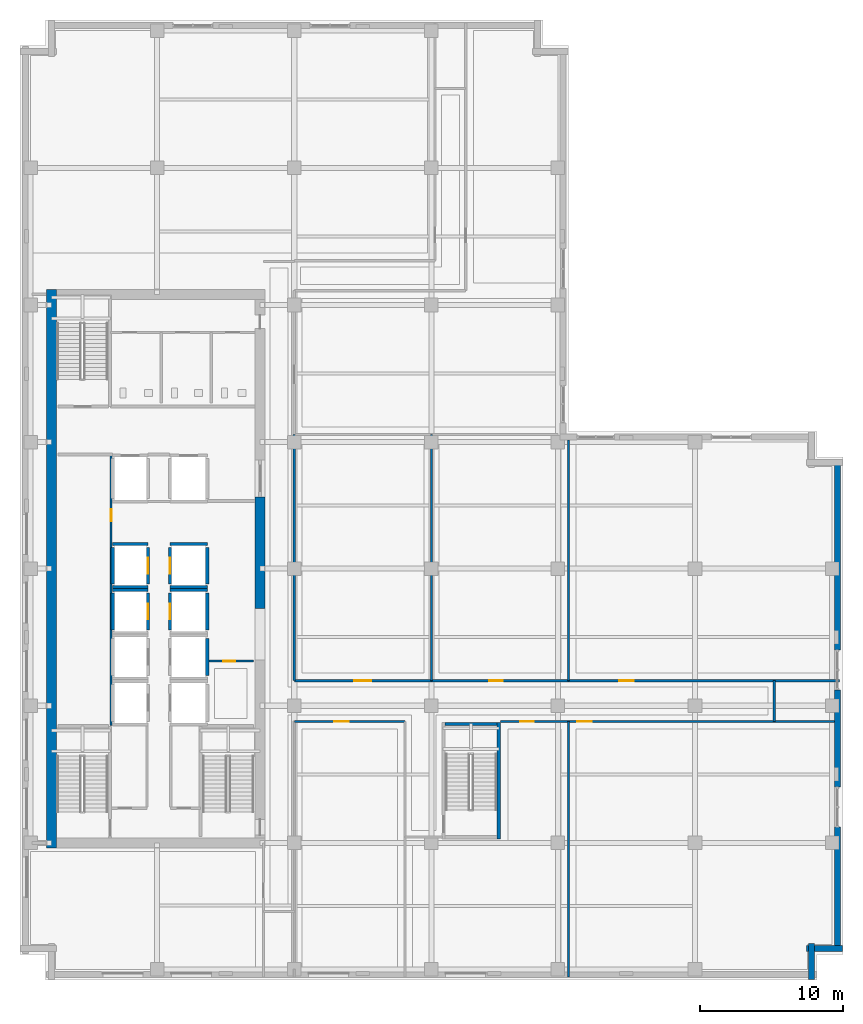
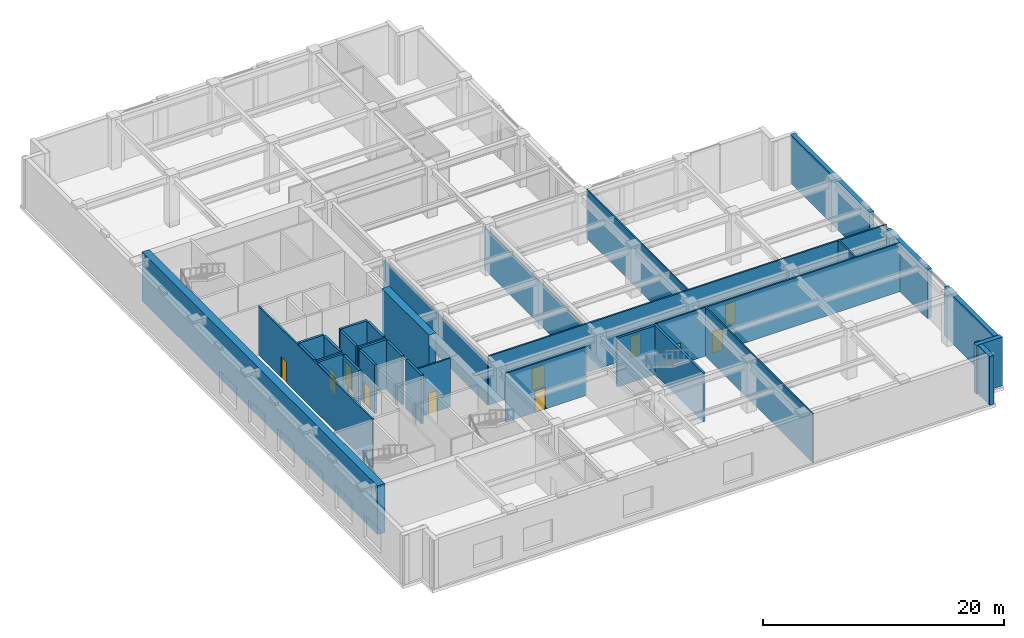
# One storey, part 5 of 18: 34 walls, 12 doors, 12 openings.
"""IFC4 building model written with IfcOpenShell, lengths in metres."""

from ifc_helpers import new_model, si_unit, direction, frame, frame_2d, origin, place, context, subcontext, project, spatial, rectangle, extrude, material, layer, layer_set, type_object, element, fill, save


model = new_model("IFC4")

# Units and contexts
model_context = context("Model", 3, precision=1e-05, world=origin(), true_north=direction((0.0, 1.0)))
body_context = subcontext(model_context, "Body", "Model", "MODEL_VIEW")
ifc_project = project(units=[si_unit("LENGTHUNIT", "METRE"), si_unit("AREAUNIT", "SQUARE_METRE"), si_unit("VOLUMEUNIT", "CUBIC_METRE"), si_unit("PLANEANGLEUNIT", "RADIAN"), si_unit("MASSUNIT", "GRAM", prefix="KILO")], contexts=[model_context])

# Site, building, storey
site_placement = place(None, origin())
site = spatial("IfcSite", under=ifc_project, at=site_placement, CompositionType="ELEMENT")
building_placement = place(site_placement, origin())
building = spatial("IfcBuilding", under=site, at=building_placement, Name="Norrvale University Quadrangle", CompositionType="ELEMENT")
storey_placement = place(building_placement, frame((0.0, 0.0, 150.800048828125)))
storey = spatial("IfcBuildingStorey", under=building, at=storey_placement, Name="L38", CompositionType="ELEMENT", Elevation=150.800048828125)

# Walls
ifc_material_1 = material(Name="Buff Norman Clay Brick Masonry", Category="masonry")
ifc_layer_1 = layer(ifc_material_1, 0.419921875, Name="Buff Norman Clay Brick Masonry")
ifc_layer_set_1 = layer_set([ifc_layer_1], Name="Buff Norman Clay Brick Masonry")
wall_type_1 = type_object("IfcWallType", Name="Wall Buff Brick 420", PredefinedType="SOLIDWALL", material=ifc_layer_set_1)
for number, where, z_axis, x_axis, name in (
    (1, (55.409912109375, 0.0400390625, 0.0), (0.0, 0.0, 1.0), (0.0, 1.0, 0.0), "Exterior Brick Facade Wall L38-02.1"),
    (2, (55.06005859375, 2.18994140625, 0.0), (0.0, 0.0, 1.0), (1.0, 0.0, 0.0), "Exterior Brick Facade Wall L38-03.1"),
):
    element("IfcWall", number, at=place(storey_placement, frame(where, z_axis=z_axis, x_axis=x_axis)), inside=storey, type_object=wall_type_1, Name=name, PredefinedType="SOLIDWALL", context=body_context, shape_type="SweptSolid", body=[
        extrude(rectangle(XDim=2.5, YDim=0.419921875, at=frame_2d((1.25, 0.0))), origin(), (0.0, 0.0, 1.0), 4.93994140625),
    ])
wall_1_placement = place(storey_placement, frame((57.2099609375, 2.18994140625, 0.0), z_axis=(0.0, 0.0, 1.0), x_axis=(0.0, 1.0, 0.0)))
element("IfcWall", 3, at=wall_1_placement, inside=storey, type_object=wall_type_1, Name="Sky Lobby Brick Pier 04.1", PredefinedType="SOLIDWALL", context=body_context, shape_type="SweptSolid", body=[
    extrude(rectangle(XDim=8.510009765625, YDim=0.419921875, at=frame_2d((4.2548828125, 0.0))), origin(), (0.0, 0.0, 1.0), 4.93994140625),
])
wall_2_placement = place(storey_placement, frame((57.2099609375, 13.5, 0.0), z_axis=(0.0, 0.0, 1.0), x_axis=(0.0, 1.0, 0.0)))
element("IfcWall", 4, at=wall_2_placement, inside=storey, type_object=wall_type_1, Name="Sky Lobby Brick Pier 04.2", PredefinedType="SOLIDWALL", context=body_context, shape_type="SweptSolid", body=[
    extrude(rectangle(XDim=6.800048828125, YDim=0.419921875, at=frame_2d((3.39990234375, 0.0))), origin(), (0.0, 0.0, 1.0), 4.93994140625),
])
wall_3_placement = place(storey_placement, frame((57.2099609375, 23.10009765625, 0.0), z_axis=(0.0, 0.0, 1.0), x_axis=(0.0, 1.0, 0.0)))
element("IfcWall", 5, at=wall_3_placement, inside=storey, type_object=wall_type_1, Name="Sky Lobby Brick Pier 04.3", PredefinedType="SOLIDWALL", context=body_context, shape_type="SweptSolid", body=[
    extrude(rectangle(XDim=13.10986328125, YDim=0.419921875, at=frame_2d((6.554931640625, 0.0))), origin(), (0.0, 0.0, 1.0), 4.93994140625),
])
ifc_material_2 = material(Name="Concrete C60/75", Category="concrete")
ifc_layer_2 = layer(ifc_material_2, 0.699951171875, Name="Concrete C60/75")
ifc_layer_set_2 = layer_set([ifc_layer_2], Name="Concrete C60/75")
wall_type_2 = type_object("IfcWallType", Name="Wall Core 700", PredefinedType="SHEAR", material=ifc_layer_set_2)
wall_4_placement = place(storey_placement, frame((2.199951171875, 9.25, 0.0), z_axis=(0.0, 0.0, 1.0), x_axis=(0.0, 1.0, 0.0)))
element("IfcWall", 6, at=wall_4_placement, inside=storey, type_object=wall_type_2, Name="Tower Core Shear Wall L38-W", PredefinedType="SHEAR", context=body_context, shape_type="SweptSolid", body=[
    extrude(rectangle(XDim=39.10009765625, YDim=0.699951171875, at=frame_2d((19.550048828125, 0.0))), origin(), (0.0, 0.0, 1.0), 4.93994140625),
])
wall_5_placement = place(storey_placement, frame((16.800048828125, 26.0, 0.0), z_axis=(0.0, 0.0, 1.0), x_axis=(0.0, 1.0, 0.0)))
element("IfcWall", 7, at=wall_5_placement, inside=storey, type_object=wall_type_2, Name="Tower Core Shear Wall L38-E2", PredefinedType="SHEAR", context=body_context, shape_type="SweptSolid", body=[
    extrude(rectangle(XDim=7.800048828125, YDim=0.699951171875, at=frame_2d((3.89990234375, 0.0))), origin(), (0.0, 0.0, 1.0), 4.93994140625),
])
ifc_material_3 = material(Name="Standard Academic Gypsum Partition")
ifc_layer_3 = layer(ifc_material_3, 0.125, Name="Standard Academic Gypsum Partition")
ifc_layer_set_3 = layer_set([ifc_layer_3], Name="Standard Academic Gypsum Partition")
wall_type_3 = type_object("IfcWallType", Name="Wall Gypsum Academic 125", PredefinedType="PARTITIONING", material=ifc_layer_set_3)
wall_6_placement = place(storey_placement, frame((38.39990234375, 0.219970703125, 0.0), z_axis=(0.0, 0.0, 1.0), x_axis=(0.0, 1.0, 0.0)))
element("IfcWall", 8, at=wall_6_placement, inside=storey, type_object=wall_type_3, Name="Interior Partition WL-L38-SEP2", PredefinedType="PARTITIONING", context=body_context, shape_type="SweptSolid", body=[
    extrude(rectangle(XDim=17.880126953125, YDim=0.125, at=frame_2d((8.93994140625, 0.0))), origin(), (0.0, 0.0, 1.0), 4.93994140625),
])
wall_7_placement = place(storey_placement, frame((28.800048828125, 20.949951171875, 0.0), z_axis=(0.0, 0.0, 1.0), x_axis=(0.0, 1.0, 0.0)))
element("IfcWall", 9, at=wall_7_placement, inside=storey, type_object=wall_type_3, Name="Interior Partition WL-L38-MEP01", PredefinedType="PARTITIONING", context=body_context, shape_type="SweptSolid", body=[
    extrude(rectangle(XDim=17.22998046875, YDim=0.125, at=frame_2d((8.614990234375, 0.0))), origin(), (0.0, 0.0, 1.0), 4.244873046875),
])
wall_8_placement = place(storey_placement, frame((38.39990234375, 20.949951171875, 0.0), z_axis=(0.0, 0.0, 1.0), x_axis=(0.0, 1.0, 0.0)))
element("IfcWall", 10, at=wall_8_placement, inside=storey, type_object=wall_type_3, Name="Interior Partition WL-L38-MEP02", PredefinedType="PARTITIONING", context=body_context, shape_type="SweptSolid", body=[
    extrude(rectangle(XDim=16.840087890625, YDim=0.125, at=frame_2d((8.419921875, 0.0))), origin(), (0.0, 0.0, 1.0), 4.93994140625),
])

# Wall, opening, door
ifc_material_4 = material(Name="Fire-Rated Gypsum Stud Partition")
ifc_layer_4 = layer(ifc_material_4, 0.14990234375, Name="Fire-Rated Gypsum Stud Partition")
ifc_layer_set_4 = layer_set([ifc_layer_4], Name="Fire-Rated Gypsum Stud Partition")
wall_type_4 = type_object("IfcWallType", Name="Wall Gypsum Corridor 150", PredefinedType="PARTITIONING", material=ifc_layer_set_4)
wall_9_placement = place(storey_placement, frame((13.22509765625, 22.320068359375, 0.0), z_axis=(0.0, 0.0, 1.0), x_axis=(1.0, 0.0, 0.0)))
wall_9 = element("IfcWall", 11, at=wall_9_placement, inside=storey, type_object=wall_type_4, Name="Interior Partition WL-L38-JAN-N", PredefinedType="PARTITIONING", context=body_context, shape_type="SweptSolid", body=[
    extrude(rectangle(XDim=3.119873046875, YDim=0.14990234375, at=frame_2d((1.56005859375, 0.0))), origin(), (0.0, 0.0, 1.0), 4.93994140625),
])
opening_1_placement = place(wall_9_placement, frame((1.0, 0.0, 0.0)))
opening_1 = element("IfcOpeningElement", 12, at=opening_1_placement, cuts=wall_9, Name="Opening D10", PredefinedType="OPENING", context=body_context, shape_type="SweptSolid", body=[
    extrude(rectangle(XDim=0.85009765625, YDim=2.10009765625, at=frame_2d((0.425048828125, 1.050048828125))), frame((0.0, 0.0869140625, 0.0), z_axis=(0.0, -1.0, 0.0), x_axis=(1.0, 0.0, 0.0)), (0.0, 0.0, 1.0), 0.173828125),
])
ifc_material_5 = material(Name="Hollow Steel 350W Riser Fire Door", Category="steel")
door_type_1 = type_object("IfcDoorType", Name="Door Riser 850x2100", OperationType="NOTDEFINED", PredefinedType="DOOR", material=ifc_material_5)
door_1_placement = place(opening_1_placement, origin())
door_1 = element("IfcDoor", 13, at=door_1_placement, inside=storey, type_object=door_type_1, Name="Door Riser 850x2100 DR-L38-JAN", OperationType="SINGLE_SWING_LEFT", OverallHeight=2.10009765625, OverallWidth=0.85009765625, PredefinedType="DOOR", context=body_context, shape_type="SweptSolid", body=[
    extrude(rectangle(XDim=0.85009765625, YDim=2.10009765625, at=frame_2d((0.425048828125, 1.050048828125))), frame((0.0, 0.02490234375, 0.0), z_axis=(0.0, -1.0, 0.0), x_axis=(1.0, 0.0, 0.0)), (0.0, 0.0, 1.0), 0.050048828125),
])
fill(opening_1, door_1)

wall_10_placement = place(storey_placement, frame((6.3798828125, 17.800048828125, 0.0), z_axis=(0.0, 0.0, 1.0), x_axis=(0.0, 1.0, 0.0)))
wall_10 = element("IfcWall", 14, at=wall_10_placement, inside=storey, type_object=wall_type_4, Name="Interior Partition WL-L38-WME-E", PredefinedType="PARTITIONING", context=body_context, shape_type="SweptSolid", body=[
    extrude(rectangle(XDim=18.97998046875, YDim=0.14990234375, at=frame_2d((9.489990234375, 0.0))), origin(), (0.0, 0.0, 1.0), 4.93994140625),
])
opening_2_placement = place(wall_10_placement, frame((14.300048828125, 0.0, 0.0)))
opening_2 = element("IfcOpeningElement", 15, at=opening_2_placement, cuts=wall_10, Name="Opening D10", PredefinedType="OPENING", context=body_context, shape_type="SweptSolid", body=[
    extrude(rectangle(XDim=0.85009765625, YDim=2.10009765625, at=frame_2d((0.425048828125, 1.050048828125))), frame((0.0, 0.0869140625, 0.0), z_axis=(0.0, -1.0, 0.0), x_axis=(1.0, 0.0, 0.0)), (0.0, 0.0, 1.0), 0.173828125),
])
door_2_placement = place(opening_2_placement, origin())
door_2 = element("IfcDoor", 16, at=door_2_placement, inside=storey, type_object=door_type_1, Name="Door Riser 850x2100 DR-L38-WME", OperationType="SINGLE_SWING_LEFT", OverallHeight=2.10009765625, OverallWidth=0.85009765625, PredefinedType="DOOR", context=body_context, shape_type="SweptSolid", body=[
    extrude(rectangle(XDim=0.85009765625, YDim=2.10009765625, at=frame_2d((0.425048828125, 1.050048828125))), frame((0.0, 0.02490234375, 0.0), z_axis=(0.0, -1.0, 0.0), x_axis=(1.0, 0.0, 0.0)), (0.0, 0.0, 1.0), 0.050048828125),
])
fill(opening_2, door_2)

# Wall
wall_11_placement = place(storey_placement, frame((52.800048828125, 18.10009765625, 0.0), z_axis=(0.0, 0.0, 1.0), x_axis=(0.0, 1.0, 0.0)))
element("IfcWall", 17, at=wall_11_placement, inside=storey, type_object=wall_type_4, Name="Interior Partition WL-L38-CESP-E", PredefinedType="PARTITIONING", context=body_context, shape_type="SweptSolid", body=[
    extrude(rectangle(XDim=2.849853515625, YDim=0.14990234375, at=frame_2d((1.4248046875, 0.0))), origin(), (0.0, 0.0, 1.0), 4.93994140625),
])

# Wall, opening, door
wall_12_placement = place(storey_placement, frame((19.199951171875, 18.10009765625, 0.0), z_axis=(0.0, 0.0, 1.0), x_axis=(1.0, 0.0, 0.0)))
wall_12 = element("IfcWall", 18, at=wall_12_placement, inside=storey, type_object=wall_type_4, Name="Interior Partition WL-L38-SEW1", PredefinedType="PARTITIONING", context=body_context, shape_type="SweptSolid", body=[
    extrude(rectangle(XDim=7.75, YDim=0.14990234375, at=frame_2d((3.875, 0.0))), origin(), (0.0, 0.0, 1.0), 4.93994140625),
])
opening_3_placement = place(wall_12_placement, frame((2.800048828125, 0.0, 0.0)))
opening_3 = element("IfcOpeningElement", 19, at=opening_3_placement, cuts=wall_12, Name="Opening D04", PredefinedType="OPENING", context=body_context, shape_type="SweptSolid", body=[
    extrude(rectangle(XDim=1.0, YDim=2.199951171875, at=frame_2d((0.5, 1.10009765625))), frame((0.0, 0.0869140625, 0.0), z_axis=(0.0, -1.0, 0.0), x_axis=(1.0, 0.0, 0.0)), (0.0, 0.0, 1.0), 0.173828125),
])
ifc_material_6 = material(Name="Solid-Core Oak Fire Door", Category="wood")
door_type_2 = type_object("IfcDoorType", Name="Door Corridor 1000x2200", OperationType="NOTDEFINED", PredefinedType="DOOR", material=ifc_material_6)
door_3_placement = place(opening_3_placement, origin())
door_3 = element("IfcDoor", 20, at=door_3_placement, inside=storey, type_object=door_type_2, Name="Door Corridor 1000x2200 DR-L38-SE1", OperationType="SINGLE_SWING_LEFT", OverallHeight=2.199951171875, OverallWidth=1.0, PredefinedType="DOOR", context=body_context, shape_type="SweptSolid", body=[
    extrude(rectangle(XDim=1.0, YDim=2.199951171875, at=frame_2d((0.5, 1.10009765625))), frame((0.0, 0.02490234375, 0.0), z_axis=(0.0, -1.0, 0.0), x_axis=(1.0, 0.0, 0.0)), (0.0, 0.0, 1.0), 0.050048828125),
])
fill(opening_3, door_3)

# Wall, openings, doors
wall_13_placement = place(storey_placement, frame((33.6201171875, 18.10009765625, 0.0), z_axis=(0.0, 0.0, 1.0), x_axis=(1.0, 0.0, 0.0)))
wall_13 = element("IfcWall", 21, at=wall_13_placement, inside=storey, type_object=wall_type_4, Name="Interior Partition WL-L38-SEW2", PredefinedType="PARTITIONING", context=body_context, shape_type="SweptSolid", body=[
    extrude(rectangle(XDim=23.759765625, YDim=0.14990234375, at=frame_2d((11.8798828125, 0.0))), origin(), (0.0, 0.0, 1.0), 4.93994140625),
])
opening_4_placement = place(wall_13_placement, frame((1.39990234375, 0.0, 0.0)))
opening_4 = element("IfcOpeningElement", 22, at=opening_4_placement, cuts=wall_13, Name="Opening D07", PredefinedType="OPENING", context=body_context, shape_type="SweptSolid", body=[
    extrude(rectangle(XDim=0.949951171875, YDim=2.14990234375, at=frame_2d((0.47509765625, 1.074951171875))), frame((0.0, 0.0869140625, 0.0), z_axis=(0.0, -1.0, 0.0), x_axis=(1.0, 0.0, 0.0)), (0.0, 0.0, 1.0), 0.173828125),
])
opening_5_placement = place(wall_13_placement, frame((5.39990234375, 0.0, 0.0)))
opening_5 = element("IfcOpeningElement", 23, at=opening_5_placement, cuts=wall_13, Name="Opening D04", PredefinedType="OPENING", context=body_context, shape_type="SweptSolid", body=[
    extrude(rectangle(XDim=1.0, YDim=2.199951171875, at=frame_2d((0.5, 1.10009765625))), frame((0.0, 0.0869140625, 0.0), z_axis=(0.0, -1.0, 0.0), x_axis=(1.0, 0.0, 0.0)), (0.0, 0.0, 1.0), 0.173828125),
])
door_4_placement = place(opening_5_placement, origin())
door_4 = element("IfcDoor", 24, at=door_4_placement, inside=storey, type_object=door_type_2, Name="Door Corridor 1000x2200 DR-L38-SE3", OperationType="SINGLE_SWING_LEFT", OverallHeight=2.199951171875, OverallWidth=1.0, PredefinedType="DOOR", context=body_context, shape_type="SweptSolid", body=[
    extrude(rectangle(XDim=1.0, YDim=2.199951171875, at=frame_2d((0.5, 1.10009765625))), frame((0.0, 0.02490234375, 0.0), z_axis=(0.0, -1.0, 0.0), x_axis=(1.0, 0.0, 0.0)), (0.0, 0.0, 1.0), 0.050048828125),
])
fill(opening_5, door_4)
ifc_material_7 = material(Name="Solid-Core Maple Door", Category="wood")
door_type_3 = type_object("IfcDoorType", Name="Door Office 950x2150", OperationType="NOTDEFINED", PredefinedType="DOOR", material=ifc_material_7)
door_5_placement = place(opening_4_placement, origin())
door_5 = element("IfcDoor", 25, at=door_5_placement, inside=storey, type_object=door_type_3, Name="Door Office 950x2150 DR-L38-SE2", OperationType="SINGLE_SWING_RIGHT", OverallHeight=2.14990234375, OverallWidth=0.949951171875, PredefinedType="DOOR", context=body_context, shape_type="SweptSolid", body=[
    extrude(rectangle(XDim=0.949951171875, YDim=2.14990234375, at=frame_2d((0.47509765625, 1.074951171875))), frame((0.0, 0.02490234375, 0.0), z_axis=(0.0, -1.0, 0.0), x_axis=(1.0, 0.0, 0.0)), (0.0, 0.0, 1.0), 0.050048828125),
])
fill(opening_4, door_5)

wall_14_placement = place(storey_placement, frame((19.199951171875, 20.949951171875, 0.0), z_axis=(0.0, 0.0, 1.0), x_axis=(1.0, 0.0, 0.0)))
wall_14 = element("IfcWall", 26, at=wall_14_placement, inside=storey, type_object=wall_type_4, Name="Interior Partition WL-L38-MECW", PredefinedType="PARTITIONING", context=body_context, shape_type="SweptSolid", body=[
    extrude(rectangle(XDim=38.179931640625, YDim=0.14990234375, at=frame_2d((19.08984375, 0.0))), origin(), (0.0, 0.0, 1.0), 4.93994140625),
])
opening_6_placement = place(wall_14_placement, frame((4.199951171875, 0.0, 0.0)))
opening_6 = element("IfcOpeningElement", 27, at=opening_6_placement, cuts=wall_14, Name="Opening D05", PredefinedType="OPENING", context=body_context, shape_type="SweptSolid", body=[
    extrude(rectangle(XDim=1.199951171875, YDim=2.199951171875, at=frame_2d((0.60009765625, 1.10009765625))), frame((0.0, 0.0869140625, 0.0), z_axis=(0.0, -1.0, 0.0), x_axis=(1.0, 0.0, 0.0)), (0.0, 0.0, 1.0), 0.173828125),
])
opening_7_placement = place(wall_14_placement, frame((13.64990234375, 0.0, 0.0)))
opening_7 = element("IfcOpeningElement", 28, at=opening_7_placement, cuts=wall_14, Name="Opening D07", PredefinedType="OPENING", context=body_context, shape_type="SweptSolid", body=[
    extrude(rectangle(XDim=0.949951171875, YDim=2.14990234375, at=frame_2d((0.47509765625, 1.074951171875))), frame((0.0, 0.0869140625, 0.0), z_axis=(0.0, -1.0, 0.0), x_axis=(1.0, 0.0, 0.0)), (0.0, 0.0, 1.0), 0.173828125),
])
opening_8_placement = place(wall_14_placement, frame((22.75, 0.0, 0.0)))
opening_8 = element("IfcOpeningElement", 29, at=opening_8_placement, cuts=wall_14, Name="Opening D04", PredefinedType="OPENING", context=body_context, shape_type="SweptSolid", body=[
    extrude(rectangle(XDim=1.0, YDim=2.199951171875, at=frame_2d((0.5, 1.10009765625))), frame((0.0, 0.0869140625, 0.0), z_axis=(0.0, -1.0, 0.0), x_axis=(1.0, 0.0, 0.0)), (0.0, 0.0, 1.0), 0.173828125),
])
ifc_material_8 = material(Name="Acoustic Oak Classroom Door", Category="wood")
door_type_4 = type_object("IfcDoorType", Name="Door Classroom 1200x2200", OperationType="NOTDEFINED", PredefinedType="DOOR", material=ifc_material_8)
door_6_placement = place(opening_6_placement, origin())
door_6 = element("IfcDoor", 30, at=door_6_placement, inside=storey, type_object=door_type_4, Name="Door Classroom 1200x2200 DR-L38-ME01", OperationType="SINGLE_SWING_LEFT", OverallHeight=2.199951171875, OverallWidth=1.199951171875, PredefinedType="DOOR", context=body_context, shape_type="SweptSolid", body=[
    extrude(rectangle(XDim=1.199951171875, YDim=2.199951171875, at=frame_2d((0.60009765625, 1.10009765625))), frame((0.0, 0.02490234375, 0.0), z_axis=(0.0, -1.0, 0.0), x_axis=(1.0, 0.0, 0.0)), (0.0, 0.0, 1.0), 0.050048828125),
])
fill(opening_6, door_6)
door_7_placement = place(opening_8_placement, origin())
door_7 = element("IfcDoor", 31, at=door_7_placement, inside=storey, type_object=door_type_2, Name="Door Corridor 1000x2200 DR-L38-ME03", OperationType="SINGLE_SWING_LEFT", OverallHeight=2.199951171875, OverallWidth=1.0, PredefinedType="DOOR", context=body_context, shape_type="SweptSolid", body=[
    extrude(rectangle(XDim=1.0, YDim=2.199951171875, at=frame_2d((0.5, 1.10009765625))), frame((0.0, 0.02490234375, 0.0), z_axis=(0.0, -1.0, 0.0), x_axis=(1.0, 0.0, 0.0)), (0.0, 0.0, 1.0), 0.050048828125),
])
fill(opening_8, door_7)
door_8_placement = place(opening_7_placement, origin())
door_8 = element("IfcDoor", 32, at=door_8_placement, inside=storey, type_object=door_type_3, Name="Door Office 950x2150 DR-L38-ME02", OperationType="SINGLE_SWING_RIGHT", OverallHeight=2.14990234375, OverallWidth=0.949951171875, PredefinedType="DOOR", context=body_context, shape_type="SweptSolid", body=[
    extrude(rectangle(XDim=0.949951171875, YDim=2.14990234375, at=frame_2d((0.47509765625, 1.074951171875))), frame((0.0, 0.02490234375, 0.0), z_axis=(0.0, -1.0, 0.0), x_axis=(1.0, 0.0, 0.0)), (0.0, 0.0, 1.0), 0.050048828125),
])
fill(opening_7, door_8)

# Walls
wall_15_placement = place(storey_placement, frame((19.199951171875, 20.949951171875, 0.0), z_axis=(0.0, 0.0, 1.0), x_axis=(0.0, 1.0, 0.0)))
element("IfcWall", 33, at=wall_15_placement, inside=storey, type_object=wall_type_4, Name="Interior Partition WL-L38-ME-W", PredefinedType="PARTITIONING", context=body_context, shape_type="SweptSolid", body=[
    extrude(rectangle(XDim=17.22998046875, YDim=0.14990234375, at=frame_2d((8.614990234375, 0.0))), origin(), (0.0, 0.0, 1.0), 4.244873046875),
])
ifc_material_9 = material(Name="Concrete Blockwork 20 MPa Fire Shaft", Category="masonry")
ifc_layer_5 = layer(ifc_material_9, 0.219970703125, Name="Concrete Blockwork 20 MPa Fire Shaft")
ifc_layer_set_5 = layer_set([ifc_layer_5], Name="Concrete Blockwork 20 MPa Fire Shaft")
wall_type_5 = type_object("IfcWallType", Name="Wall Shaft 220", PredefinedType="SOLIDWALL", material=ifc_layer_set_5)
wall_16_placement = place(storey_placement, frame((33.510009765625, 9.8798828125, 0.0), z_axis=(0.0, 0.0, 1.0), x_axis=(0.0, 1.0, 0.0)))
element("IfcWall", 34, at=wall_16_placement, inside=storey, type_object=wall_type_5, Name="Stair ST-04 East Shaft Wall L38", PredefinedType="SOLIDWALL", context=body_context, shape_type="SweptSolid", body=[
    extrude(rectangle(XDim=8.14013671875, YDim=0.219970703125, at=frame_2d((4.070068359375, 0.0))), origin(), (0.0, 0.0, 1.0), 4.93994140625),
])
wall_17_placement = place(storey_placement, frame((29.75, 17.909912109375, 0.0), z_axis=(0.0, 0.0, 1.0), x_axis=(1.0, 0.0, 0.0)))
element("IfcWall", 35, at=wall_17_placement, inside=storey, type_object=wall_type_5, Name="Stair ST-04 North Shaft Wall L38", PredefinedType="SOLIDWALL", context=body_context, shape_type="SweptSolid", body=[
    extrude(rectangle(XDim=3.64990234375, YDim=0.219970703125, at=frame_2d((1.824951171875, 0.0))), origin(), (0.0, 0.0, 1.0), 4.93994140625),
])
wall_18_placement = place(storey_placement, frame((6.489990234375, 24.510009765625, 0.0), z_axis=(0.0, 0.0, 1.0), x_axis=(0.0, 1.0, 0.0)))
element("IfcWall", 36, at=wall_18_placement, inside=storey, type_object=wall_type_5, Name="Hoistway PL-03 West Wall L38", PredefinedType="SOLIDWALL", context=body_context, shape_type="SweptSolid", body=[
    extrude(rectangle(XDim=2.580078125, YDim=0.219970703125, at=frame_2d((1.2900390625, 0.0))), origin(), (0.0, 0.0, 1.0), 4.93994140625),
])

# Wall, opening, door
wall_19_placement = place(storey_placement, frame((8.9599609375, 24.510009765625, 0.0), z_axis=(0.0, 0.0, 1.0), x_axis=(0.0, 1.0, 0.0)))
wall_19 = element("IfcWall", 37, at=wall_19_placement, inside=storey, type_object=wall_type_5, Name="Hoistway PL-03 East Wall L38", PredefinedType="SOLIDWALL", context=body_context, shape_type="SweptSolid", body=[
    extrude(rectangle(XDim=2.580078125, YDim=0.219970703125, at=frame_2d((1.2900390625, 0.0))), origin(), (0.0, 0.0, 1.0), 4.93994140625),
])
opening_9_placement = place(wall_19_placement, frame((0.739990234375, 0.0, 0.0)))
opening_9 = element("IfcOpeningElement", 38, at=opening_9_placement, cuts=wall_19, Name="Opening LD1", PredefinedType="OPENING", context=body_context, shape_type="SweptSolid", body=[
    extrude(rectangle(XDim=1.10009765625, YDim=2.199951171875, at=frame_2d((0.550048828125, 1.10009765625))), frame((0.0, 0.1220703125, 0.0), z_axis=(0.0, -1.0, 0.0), x_axis=(1.0, 0.0, 0.0)), (0.0, 0.0, 1.0), 0.243896484375),
])
ifc_material_10 = material(Name="Stainless Steel 316L Lift Landing Door", Category="steel")
door_type_5 = type_object("IfcDoorType", Name="Door Lift Landing 1100x2200", OperationType="DOUBLE_DOOR_SLIDING", PredefinedType="DOOR", material=ifc_material_10)
door_9_placement = place(opening_9_placement, origin())
door_9 = element("IfcDoor", 39, at=door_9_placement, inside=storey, type_object=door_type_5, Name="Elevator Landing Door DR-L38-PL-03", OperationType="DOUBLE_DOOR_SLIDING", OverallHeight=2.199951171875, OverallWidth=1.10009765625, PredefinedType="DOOR", context=body_context, shape_type="SweptSolid", body=[
    extrude(rectangle(XDim=1.10009765625, YDim=2.199951171875, at=frame_2d((0.550048828125, 1.10009765625))), frame((0.0, 0.02490234375, 0.0), z_axis=(0.0, -1.0, 0.0), x_axis=(1.0, 0.0, 0.0)), (0.0, 0.0, 1.0), 0.050048828125),
])
fill(opening_9, door_9)

# Walls
wall_20_placement = place(storey_placement, frame((6.489990234375, 27.31005859375, 0.0), z_axis=(0.0, 0.0, 1.0), x_axis=(1.0, 0.0, 0.0)))
element("IfcWall", 40, at=wall_20_placement, inside=storey, type_object=wall_type_5, Name="Hoistway PL-03 North Wall L38", PredefinedType="SOLIDWALL", context=body_context, shape_type="SweptSolid", body=[
    extrude(rectangle(XDim=2.469970703125, YDim=0.219970703125, at=frame_2d((1.23486328125, 0.0))), origin(), (0.0, 0.0, 1.0), 4.93994140625),
])
wall_21_placement = place(storey_placement, frame((6.489990234375, 27.7099609375, 0.0), z_axis=(0.0, 0.0, 1.0), x_axis=(0.0, 1.0, 0.0)))
element("IfcWall", 41, at=wall_21_placement, inside=storey, type_object=wall_type_5, Name="Hoistway PL-04 West Wall L38", PredefinedType="SOLIDWALL", context=body_context, shape_type="SweptSolid", body=[
    extrude(rectangle(XDim=2.580078125, YDim=0.219970703125, at=frame_2d((1.2900390625, 0.0))), origin(), (0.0, 0.0, 1.0), 4.93994140625),
])

# Wall, opening, door
wall_22_placement = place(storey_placement, frame((8.9599609375, 27.7099609375, 0.0), z_axis=(0.0, 0.0, 1.0), x_axis=(0.0, 1.0, 0.0)))
wall_22 = element("IfcWall", 42, at=wall_22_placement, inside=storey, type_object=wall_type_5, Name="Hoistway PL-04 East Wall L38", PredefinedType="SOLIDWALL", context=body_context, shape_type="SweptSolid", body=[
    extrude(rectangle(XDim=2.580078125, YDim=0.219970703125, at=frame_2d((1.2900390625, 0.0))), origin(), (0.0, 0.0, 1.0), 4.93994140625),
])
opening_10_placement = place(wall_22_placement, frame((0.739990234375, 0.0, 0.0)))
opening_10 = element("IfcOpeningElement", 43, at=opening_10_placement, cuts=wall_22, Name="Opening LD1", PredefinedType="OPENING", context=body_context, shape_type="SweptSolid", body=[
    extrude(rectangle(XDim=1.10009765625, YDim=2.199951171875, at=frame_2d((0.550048828125, 1.10009765625))), frame((0.0, 0.1220703125, 0.0), z_axis=(0.0, -1.0, 0.0), x_axis=(1.0, 0.0, 0.0)), (0.0, 0.0, 1.0), 0.243896484375),
])
door_10_placement = place(opening_10_placement, origin())
door_10 = element("IfcDoor", 44, at=door_10_placement, inside=storey, type_object=door_type_5, Name="Elevator Landing Door DR-L38-PL-04", OperationType="DOUBLE_DOOR_SLIDING", OverallHeight=2.199951171875, OverallWidth=1.10009765625, PredefinedType="DOOR", context=body_context, shape_type="SweptSolid", body=[
    extrude(rectangle(XDim=1.10009765625, YDim=2.199951171875, at=frame_2d((0.550048828125, 1.10009765625))), frame((0.0, 0.02490234375, 0.0), z_axis=(0.0, -1.0, 0.0), x_axis=(1.0, 0.0, 0.0)), (0.0, 0.0, 1.0), 0.050048828125),
])
fill(opening_10, door_10)

# Walls
for number, where, z_axis, x_axis, name in (
    (45, (6.489990234375, 27.489990234375, 0.0), (0.0, 0.0, 1.0), (1.0, 0.0, 0.0), "Hoistway PL-04 South Wall L38"),
    (46, (6.489990234375, 30.510009765625, 0.0), (0.0, 0.0, 1.0), (1.0, 0.0, 0.0), "Hoistway PL-04 North Wall L38"),
):
    element("IfcWall", number, at=place(storey_placement, frame(where, z_axis=z_axis, x_axis=x_axis)), inside=storey, type_object=wall_type_5, Name=name, PredefinedType="SOLIDWALL", context=body_context, shape_type="SweptSolid", body=[
        extrude(rectangle(XDim=2.469970703125, YDim=0.219970703125, at=frame_2d((1.23486328125, 0.0))), origin(), (0.0, 0.0, 1.0), 4.93994140625),
    ])
wall_23_placement = place(storey_placement, frame((13.110107421875, 21.31005859375, 0.0), z_axis=(0.0, 0.0, 1.0), x_axis=(0.0, 1.0, 0.0)))
element("IfcWall", 47, at=wall_23_placement, inside=storey, type_object=wall_type_5, Name="Hoistway PL-06 East Wall L38", PredefinedType="SOLIDWALL", context=body_context, shape_type="SweptSolid", body=[
    extrude(rectangle(XDim=2.579833984375, YDim=0.219970703125, at=frame_2d((1.2900390625, 0.0))), origin(), (0.0, 0.0, 1.0), 4.93994140625),
])

# Wall, opening, door
wall_24_placement = place(storey_placement, frame((10.489990234375, 24.510009765625, 0.0), z_axis=(0.0, 0.0, 1.0), x_axis=(0.0, 1.0, 0.0)))
wall_24 = element("IfcWall", 48, at=wall_24_placement, inside=storey, type_object=wall_type_5, Name="Hoistway PL-07 West Wall L38", PredefinedType="SOLIDWALL", context=body_context, shape_type="SweptSolid", body=[
    extrude(rectangle(XDim=2.580078125, YDim=0.219970703125, at=frame_2d((1.2900390625, 0.0))), origin(), (0.0, 0.0, 1.0), 4.93994140625),
])
opening_11_placement = place(wall_24_placement, frame((0.739990234375, 0.0, 0.0)))
opening_11 = element("IfcOpeningElement", 49, at=opening_11_placement, cuts=wall_24, Name="Opening LD1", PredefinedType="OPENING", context=body_context, shape_type="SweptSolid", body=[
    extrude(rectangle(XDim=1.10009765625, YDim=2.199951171875, at=frame_2d((0.550048828125, 1.10009765625))), frame((0.0, 0.1220703125, 0.0), z_axis=(0.0, -1.0, 0.0), x_axis=(1.0, 0.0, 0.0)), (0.0, 0.0, 1.0), 0.243896484375),
])
door_11_placement = place(opening_11_placement, origin())
door_11 = element("IfcDoor", 50, at=door_11_placement, inside=storey, type_object=door_type_5, Name="Elevator Landing Door DR-L38-PL-07", OperationType="DOUBLE_DOOR_SLIDING", OverallHeight=2.199951171875, OverallWidth=1.10009765625, PredefinedType="DOOR", context=body_context, shape_type="SweptSolid", body=[
    extrude(rectangle(XDim=1.10009765625, YDim=2.199951171875, at=frame_2d((0.550048828125, 1.10009765625))), frame((0.0, 0.02490234375, 0.0), z_axis=(0.0, -1.0, 0.0), x_axis=(1.0, 0.0, 0.0)), (0.0, 0.0, 1.0), 0.050048828125),
])
fill(opening_11, door_11)

# Walls
wall_25_placement = place(storey_placement, frame((13.110107421875, 24.510009765625, 0.0), z_axis=(0.0, 0.0, 1.0), x_axis=(0.0, 1.0, 0.0)))
element("IfcWall", 51, at=wall_25_placement, inside=storey, type_object=wall_type_5, Name="Hoistway PL-07 East Wall L38", PredefinedType="SOLIDWALL", context=body_context, shape_type="SweptSolid", body=[
    extrude(rectangle(XDim=2.580078125, YDim=0.219970703125, at=frame_2d((1.2900390625, 0.0))), origin(), (0.0, 0.0, 1.0), 4.93994140625),
])
wall_26_placement = place(storey_placement, frame((10.489990234375, 27.31005859375, 0.0), z_axis=(0.0, 0.0, 1.0), x_axis=(1.0, 0.0, 0.0)))
element("IfcWall", 52, at=wall_26_placement, inside=storey, type_object=wall_type_5, Name="Hoistway PL-07 North Wall L38", PredefinedType="SOLIDWALL", context=body_context, shape_type="SweptSolid", body=[
    extrude(rectangle(XDim=2.6201171875, YDim=0.219970703125, at=frame_2d((1.31005859375, 0.0))), origin(), (0.0, 0.0, 1.0), 4.93994140625),
])

# Wall, opening, door
wall_27_placement = place(storey_placement, frame((10.489990234375, 27.7099609375, 0.0), z_axis=(0.0, 0.0, 1.0), x_axis=(0.0, 1.0, 0.0)))
wall_27 = element("IfcWall", 53, at=wall_27_placement, inside=storey, type_object=wall_type_5, Name="Hoistway PL-08 West Wall L38", PredefinedType="SOLIDWALL", context=body_context, shape_type="SweptSolid", body=[
    extrude(rectangle(XDim=2.580078125, YDim=0.219970703125, at=frame_2d((1.2900390625, 0.0))), origin(), (0.0, 0.0, 1.0), 4.93994140625),
])
opening_12_placement = place(wall_27_placement, frame((0.739990234375, 0.0, 0.0)))
opening_12 = element("IfcOpeningElement", 54, at=opening_12_placement, cuts=wall_27, Name="Opening LD1", PredefinedType="OPENING", context=body_context, shape_type="SweptSolid", body=[
    extrude(rectangle(XDim=1.10009765625, YDim=2.199951171875, at=frame_2d((0.550048828125, 1.10009765625))), frame((0.0, 0.1220703125, 0.0), z_axis=(0.0, -1.0, 0.0), x_axis=(1.0, 0.0, 0.0)), (0.0, 0.0, 1.0), 0.243896484375),
])
door_12_placement = place(opening_12_placement, origin())
door_12 = element("IfcDoor", 55, at=door_12_placement, inside=storey, type_object=door_type_5, Name="Elevator Landing Door DR-L38-PL-08", OperationType="DOUBLE_DOOR_SLIDING", OverallHeight=2.199951171875, OverallWidth=1.10009765625, PredefinedType="DOOR", context=body_context, shape_type="SweptSolid", body=[
    extrude(rectangle(XDim=1.10009765625, YDim=2.199951171875, at=frame_2d((0.550048828125, 1.10009765625))), frame((0.0, 0.02490234375, 0.0), z_axis=(0.0, -1.0, 0.0), x_axis=(1.0, 0.0, 0.0)), (0.0, 0.0, 1.0), 0.050048828125),
])
fill(opening_12, door_12)

# Walls
wall_28_placement = place(storey_placement, frame((13.110107421875, 27.7099609375, 0.0), z_axis=(0.0, 0.0, 1.0), x_axis=(0.0, 1.0, 0.0)))
element("IfcWall", 56, at=wall_28_placement, inside=storey, type_object=wall_type_5, Name="Hoistway PL-08 East Wall L38", PredefinedType="SOLIDWALL", context=body_context, shape_type="SweptSolid", body=[
    extrude(rectangle(XDim=2.580078125, YDim=0.219970703125, at=frame_2d((1.2900390625, 0.0))), origin(), (0.0, 0.0, 1.0), 4.93994140625),
])
for number, where, z_axis, x_axis, name in (
    (57, (10.489990234375, 27.489990234375, 0.0), (0.0, 0.0, 1.0), (1.0, 0.0, 0.0), "Hoistway PL-08 South Wall L38"),
    (58, (10.489990234375, 30.510009765625, 0.0), (0.0, 0.0, 1.0), (1.0, 0.0, 0.0), "Hoistway PL-08 North Wall L38"),
):
    element("IfcWall", number, at=place(storey_placement, frame(where, z_axis=z_axis, x_axis=x_axis)), inside=storey, type_object=wall_type_5, Name=name, PredefinedType="SOLIDWALL", context=body_context, shape_type="SweptSolid", body=[
        extrude(rectangle(XDim=2.6201171875, YDim=0.219970703125, at=frame_2d((1.31005859375, 0.0))), origin(), (0.0, 0.0, 1.0), 4.93994140625),
    ])

save(model, "model.ifc")
